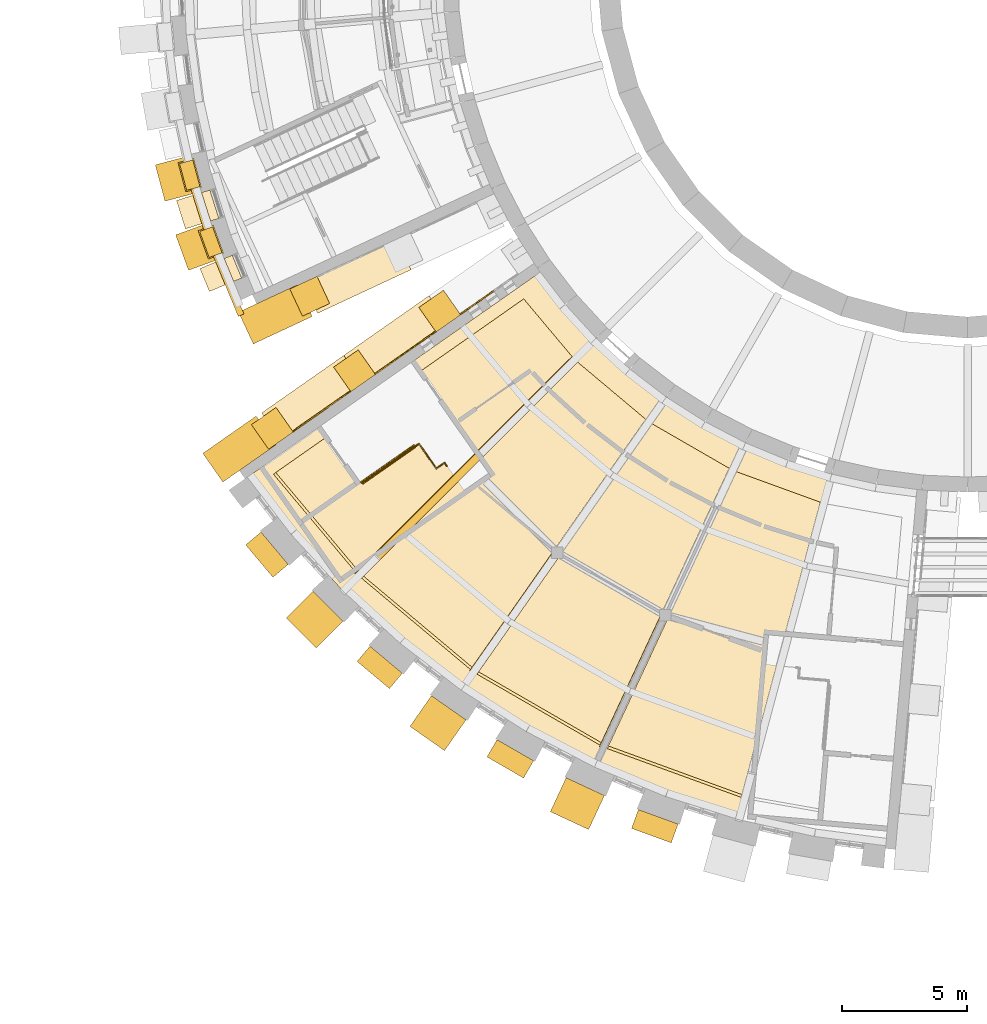
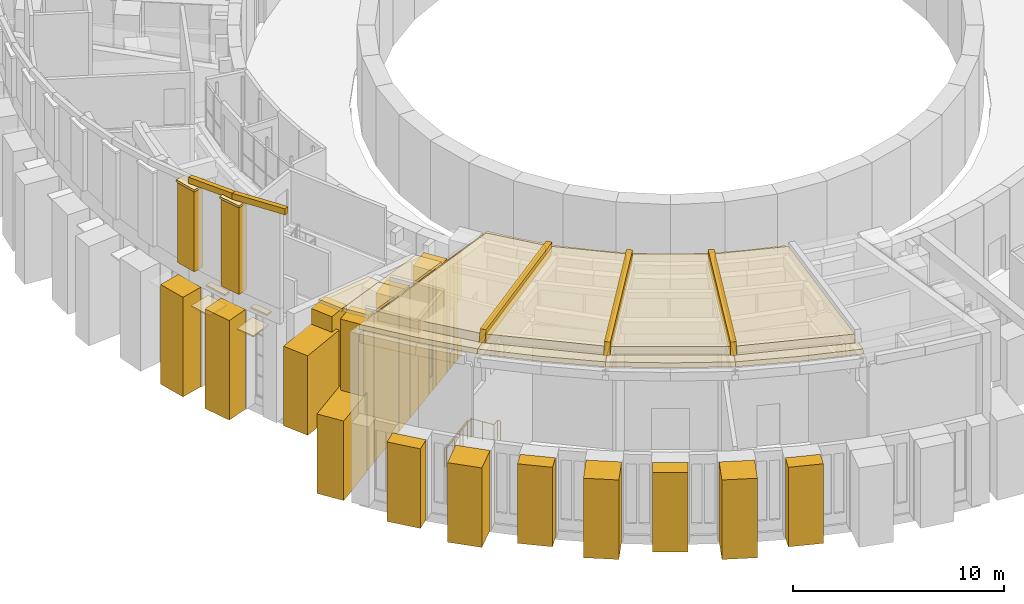
# One storey, part 51 of 66: 50 coverings, 2 railings.
"""IFC4 building model written with IfcOpenShell, lengths in metres."""

from ifc_helpers import new_model, si_unit, direction, frame, origin, origin_2d, place, context, subcontext, project, spatial, polyline, rectangle, circle, outline, extrude, material, layer, layer_set, type_object, element, save


model = new_model("IFC4")

# Units and contexts
model_context = context("Model", 3, precision=1e-05, world=origin(), true_north=direction((0.0, 1.0)))
body_context = subcontext(model_context, "Body", "Model", "MODEL_VIEW")
ifc_project = project(units=[si_unit("LENGTHUNIT", "METRE"), si_unit("AREAUNIT", "SQUARE_METRE"), si_unit("VOLUMEUNIT", "CUBIC_METRE"), si_unit("PLANEANGLEUNIT", "RADIAN"), si_unit("MASSUNIT", "GRAM", prefix="KILO")], contexts=[model_context])

# Site, building, storey
site_placement = place(None, origin())
site = spatial("IfcSite", under=ifc_project, at=site_placement, CompositionType="ELEMENT")
building_placement = place(site_placement, origin())
building = spatial("IfcBuilding", under=site, at=building_placement, Name="Volute Hill Aquarium", CompositionType="ELEMENT")
storey_placement = place(building_placement, frame((0.0, 0.0, 4.60009765625)))
storey = spatial("IfcBuildingStorey", under=building, at=storey_placement, Name="L02", CompositionType="ELEMENT", Elevation=4.60009765625)

# Coverings
ifc_material_1 = material(Name="Precast concrete C40/50", Category="concrete")
covering_type_1 = type_object("IfcCoveringType", Name="Crown coping beam precast concrete C40/50 250x350", PredefinedType="CLADDING", material=ifc_material_1)
covering_1_placement = place(storey_placement, frame((-31.21240234375, -8.368896484375, 11.449951171875), z_axis=(-0.953712655067, -0.300719423325, 0.0), x_axis=(0.297769818201, -0.944358168739, 0.139716801081)))
element("IfcCovering", 1, at=covering_1_placement, inside=storey, type_object=covering_type_1, Name="Crown coping beam PCB S1 b08", PredefinedType="CLADDING", context=body_context, shape_type="SweptSolid", body=[
    extrude(outline(polyline([(0.0, 0.0), (2.836024238373894, -5.551115123125783e-17), (2.88493876297125, 0.34666372494848335), (0.048914524597356186, 0.34666372494848346), (0.0, 0.0)])), origin(), (0.0, 0.0, -1.0), 0.25),
])
covering_2_placement = place(storey_placement, frame((-30.3642578125, -11.057373046875, 11.84619140625), z_axis=(-0.923898129368, -0.382638532494, 0.0), x_axis=(0.378882786298, -0.914829709461, 0.139765650056)))
element("IfcCovering", 2, at=covering_2_placement, inside=storey, type_object=covering_type_1, Name="Crown coping beam PCB S1 beb", PredefinedType="CLADDING", context=body_context, shape_type="SweptSolid", body=[
    extrude(outline(polyline([(0.0, 0.0), (3.1896305069942947, 5.551115123125783e-17), (3.2385280110301635, 0.34641956713533706), (0.04893162650902721, 0.34666131142503376), (0.0, 0.0)])), origin(), (0.0, 0.0, -1.0), 0.25),
])
ifc_material_2 = material(Name="Precast concrete C40/50", Category="concrete")
covering_type_2 = type_object("IfcCoveringType", Name="End wall precast coping C40/50 1350x200", PredefinedType="CLADDING", material=ifc_material_2)
covering_3_placement = place(storey_placement, frame((-22.821044921875, -10.8896484375, 4.443359375), z_axis=(-0.42265160425, 0.906292238423, 0.0), x_axis=(-0.877753563614, -0.409342523382, 0.248972649328)))
element("IfcCovering", 3, at=covering_3_placement, inside=storey, type_object=covering_type_2, Name="End wall coping EWC S1B L02 2", PredefinedType="CLADDING", context=body_context, shape_type="SweptSolid", body=[
    extrude(outline(polyline([(0.0, 0.0), (4.2489057773158745, 2.220446049250313e-16), (4.298688150313907, 0.193654812676759), (0.04978237299803335, 0.19365481267675866), (0.0, 0.0)])), origin(), (0.0, 0.0, -1.0), 1.35009765625),
])
covering_4_placement = place(storey_placement, frame((-21.529541015625, -13.15234375, 6.6162109375), z_axis=(-0.573596250898, 0.819138169637, 0.0), x_axis=(-0.793337145295, -0.555529249041, 0.249004874161)))
element("IfcCovering", 4, at=covering_4_placement, inside=storey, type_object=covering_type_2, Name="End wall coping EWC S2A L02 2", PredefinedType="CLADDING", context=body_context, shape_type="SweptSolid", body=[
    extrude(outline(polyline([(0.0, 0.0), (4.2954182392203455, 0.0), (4.3452070556113815, 0.19365315617506873), (0.0498496085966414, 0.19388960691520912), (0.0, 0.0)])), origin(), (0.0, 0.0, -1.0), 1.35009765625),
])
covering_5_placement = place(storey_placement, frame((-24.937255859375, -15.53857421875, 7.685791015625), z_axis=(-0.573564490051, 0.819160409048, 0.0), x_axis=(-0.793370432089, -0.555506714286, 0.248949086903)))
element("IfcCovering", 5, at=covering_5_placement, inside=storey, type_object=covering_type_2, Name="End wall coping EWC S2A L02 3", PredefinedType="CLADDING", context=body_context, shape_type="SweptSolid", body=[
    extrude(outline(polyline([(0.0, 0.0), (4.140451895496209, 0.0), (4.190290335745365, 0.1938924779884561), (0.049777661663486496, 0.1936560237470068), (0.0, 0.0)])), origin(), (0.0, 0.0, -1.0), 1.35009765625),
])
ifc_material_3 = material(Name="Precast concrete C40/50", Category="concrete")
covering_type_3 = type_object("IfcCoveringType", Name="End wall precast fin C40/50 1200x1200", PredefinedType="CLADDING", material=ifc_material_3)
covering_6_placement = place(storey_placement, frame((-26.296875, -13.172607421875, 0.0), z_axis=(0.0, 0.0, 1.0), x_axis=(-0.906307811488, -0.422618209304, 0.0)))
element("IfcCovering", 6, at=covering_6_placement, inside=storey, type_object=covering_type_3, Name="End wall fin EWF S1B L02 3", PredefinedType="CLADDING", context=body_context, shape_type="SweptSolid", body=[
    extrude(rectangle(XDim=1.199951171875, YDim=1.199951171875, at=origin_2d()), origin(), (0.0, 0.0, 1.0), 5.501220703125),
])
covering_7_placement = place(storey_placement, frame((-21.099365234375, -13.766845703125, 0.0), z_axis=(0.0, 0.0, 1.0), x_axis=(-0.81915382895, -0.573573887583, 0.0)))
element("IfcCovering", 7, at=covering_7_placement, inside=storey, type_object=covering_type_3, Name="End wall fin EWF S2A L02 2", PredefinedType="CLADDING", context=body_context, shape_type="SweptSolid", body=[
    extrude(rectangle(XDim=1.199951171875, YDim=1.199951171875, at=origin_2d()), origin(), (0.0, 0.0, 1.0), 6.616455078125),
])
covering_8_placement = place(storey_placement, frame((-24.507080078125, -16.15283203125, 0.0), z_axis=(0.0, 0.0, 1.0), x_axis=(-0.81915382895, -0.573573887583, 0.0)))
element("IfcCovering", 8, at=covering_8_placement, inside=storey, type_object=covering_type_3, Name="End wall fin EWF S2A L02 3", PredefinedType="CLADDING", context=body_context, shape_type="SweptSolid", body=[
    extrude(rectangle(XDim=1.199951171875, YDim=1.199951171875, at=origin_2d()), origin(), (0.0, 0.0, 1.0), 7.685791015625),
])
covering_9_placement = place(storey_placement, frame((-27.7919921875, -18.452880859375, -0.000244140625), z_axis=(0.0, 0.0, 1.0), x_axis=(-0.81915382895, -0.573573887583, 0.0)))
element("IfcCovering", 9, at=covering_9_placement, inside=storey, type_object=covering_type_3, Name="End wall fin EWF S2A L02 4", PredefinedType="CLADDING", context=body_context, shape_type="SweptSolid", body=[
    extrude(rectangle(XDim=1.199951171875, YDim=1.199951171875, at=origin_2d()), origin(), (0.0, 0.0, 1.0), 8.716796875),
])
ifc_material_4 = material(Name="Precast concrete C40/50", Category="concrete")
ifc_layer_1 = layer(ifc_material_4, 0.050048828125)
ifc_layer_set_1 = layer_set([ifc_layer_1], Name="End wall precast infill panel C40/50 50")
covering_type_4 = type_object("IfcCoveringType", Name="End wall precast infill panel C40/50 50", PredefinedType="CLADDING", material=ifc_layer_set_1)
covering_10_placement = place(storey_placement, frame((-18.957275390625, -12.938232421875, 0.0), z_axis=(-0.573462344363, 0.819231920519, 0.0), x_axis=(-0.819231920519, -0.573462344363, 0.0)))
element("IfcCovering", 10, at=covering_10_placement, inside=storey, type_object=covering_type_4, Name="End wall panel EWP S2A L02 1", PredefinedType="CLADDING", context=body_context, shape_type="SweptSolid", body=[
    extrude(outline(polyline([(0.0, 0.0), (0.4499975336854954, 0.0), (0.4499975336854954, 0.89990234375), (0.0, 0.89990234375), (0.0, 0.0)])), origin(), (0.0, 0.0, -1.0), 0.050048828125),
])
covering_11_placement = place(storey_placement, frame((-18.957275390625, -12.938232421875, 3.2998046875), z_axis=(-0.573462344363, 0.819231920519, 0.0), x_axis=(-0.819231920519, -0.573462344363, 0.0)))
element("IfcCovering", 11, at=covering_11_placement, inside=storey, type_object=covering_type_4, Name="End wall panel EWP S2A L02 1", PredefinedType="CLADDING", context=body_context, shape_type="SweptSolid", body=[
    extrude(outline(polyline([(0.0, 0.0), (0.4499975336854954, 0.0), (0.4499975336854954, 2.85888671875), (0.0, 2.7431640625), (0.0, 0.0)])), origin(), (0.0, 0.0, -1.0), 0.050048828125),
])
covering_12_placement = place(storey_placement, frame((-19.325927734375, -13.1962890625, 0.0), z_axis=(-0.573754027564, 0.819027664889, 0.0), x_axis=(-0.819027664889, -0.573754027564, 0.0)))
element("IfcCovering", 12, at=covering_12_placement, inside=storey, type_object=covering_type_4, Name="End wall panel EWP S2A L02 1", PredefinedType="CLADDING", context=body_context, shape_type="SweptSolid", body=[
    extrude(outline(polyline([(0.0, 0.0), (0.39317534459428183, 0.0), (0.39317534459428183, 6.259765625), (0.0, 6.15869140625), (0.0, 0.0)])), origin(), (0.0, 0.0, -1.0), 0.050048828125),
])
covering_13_placement = place(storey_placement, frame((-19.64794921875, -13.421875, 0.0), z_axis=(-0.573717313389, 0.819053383069, 0.0), x_axis=(-0.819053383069, -0.573717313389, 0.0)))
element("IfcCovering", 13, at=covering_13_placement, inside=storey, type_object=covering_type_4, Name="End wall panel EWP S2A L02 1", PredefinedType="CLADDING", context=body_context, shape_type="SweptSolid", body=[
    extrude(outline(polyline([(0.0, 0.0), (0.44979754768167834, 0.0), (0.44979754768167834, 0.8999023437499999), (0.0, 0.8999023437499999), (0.0, 0.0)])), origin(), (0.0, 0.0, -1.0), 0.050048828125),
])
covering_14_placement = place(storey_placement, frame((-19.64794921875, -13.421875, 3.2998046875), z_axis=(-0.573717313389, 0.819053383069, 0.0), x_axis=(-0.819053383069, -0.573717313389, 0.0)))
element("IfcCovering", 14, at=covering_14_placement, inside=storey, type_object=covering_type_4, Name="End wall panel EWP S2A L02 1", PredefinedType="CLADDING", context=body_context, shape_type="SweptSolid", body=[
    extrude(outline(polyline([(0.0, 0.0), (0.44979754768167834, 0.0), (0.44979754768167834, 3.0756835937499996), (0.0, 2.9599609374999996), (0.0, 0.0)])), origin(), (0.0, 0.0, -1.0), 0.050048828125),
])
covering_15_placement = place(storey_placement, frame((-20.016357421875, -13.679931640625, 0.0), z_axis=(-0.573608157975, 0.819129831653, 0.0), x_axis=(-0.819129831653, -0.573608157975, 0.0)))
element("IfcCovering", 15, at=covering_15_placement, inside=storey, type_object=covering_type_4, Name="End wall panel EWP S2A L02 1", PredefinedType="CLADDING", context=body_context, shape_type="SweptSolid", body=[
    extrude(outline(polyline([(0.0, 0.0), (0.3370931398232899, 0.0), (0.3370931398232899, 6.462158203125), (0.0, 6.37548828125), (0.0, 0.0)])), origin(), (0.0, 0.0, -1.0), 0.050048828125),
])
covering_16_placement = place(storey_placement, frame((-21.275634765625, -14.5615234375, 0.0), z_axis=(-0.573596314874, 0.819138124838, 0.0), x_axis=(-0.819138124838, -0.573596314874, 0.0)))
element("IfcCovering", 16, at=covering_16_placement, inside=storey, type_object=covering_type_4, Name="End wall panel EWP S2A L02 2", PredefinedType="CLADDING", context=body_context, shape_type="SweptSolid", body=[
    extrude(outline(polyline([(0.0, 0.0), (0.3668943005607556, 0.0), (0.3668943005607556, 6.864990234375), (0.0, 6.7705078125), (0.0, 0.0)])), origin(), (0.0, 0.0, -1.0), 0.050048828125),
])
covering_17_placement = place(storey_placement, frame((-21.576171875, -14.77197265625, 0.0), z_axis=(-0.573462344363, 0.819231920519, 0.0), x_axis=(-0.819231920519, -0.573462344363, 0.0)))
element("IfcCovering", 17, at=covering_17_placement, inside=storey, type_object=covering_type_4, Name="End wall panel EWP S2A L02 2", PredefinedType="CLADDING", context=body_context, shape_type="SweptSolid", body=[
    extrude(outline(polyline([(0.0, 0.0), (0.4499975336854954, 0.0), (0.4499975336854954, 0.89990234375), (0.0, 0.89990234375), (0.0, 0.0)])), origin(), (0.0, 0.0, -1.0), 0.050048828125),
])
covering_18_placement = place(storey_placement, frame((-21.576171875, -14.77197265625, 3.2998046875), z_axis=(-0.573462344363, 0.819231920519, 0.0), x_axis=(-0.819231920519, -0.573462344363, 0.0)))
element("IfcCovering", 18, at=covering_18_placement, inside=storey, type_object=covering_type_4, Name="End wall panel EWP S2A L02 2", PredefinedType="CLADDING", context=body_context, shape_type="SweptSolid", body=[
    extrude(outline(polyline([(0.0, 0.0), (0.4499975336854954, 0.0), (0.4499975336854954, 3.680908203125), (0.0, 3.565185546875), (0.0, 0.0)])), origin(), (0.0, 0.0, -1.0), 0.050048828125),
])
covering_19_placement = place(storey_placement, frame((-21.94482421875, -15.030029296875, 0.0), z_axis=(-0.573615254604, 0.819124862085, 0.0), x_axis=(-0.819124862085, -0.573615254604, 0.0)))
element("IfcCovering", 19, at=covering_19_placement, inside=storey, type_object=covering_type_4, Name="End wall panel EWP S2A L02 2", PredefinedType="CLADDING", context=body_context, shape_type="SweptSolid", body=[
    extrude(outline(polyline([(0.0, 0.0), (2.1429835364554424, 0.0), (2.1429835364554424, 7.531494140625), (0.0, 6.980712890625), (0.0, 0.0)])), origin(), (0.0, 0.0, -1.0), 0.050048828125),
])
covering_20_placement = place(storey_placement, frame((-24.68310546875, -16.947509765625, 0.0), z_axis=(-0.57356146149, 0.819162529596, 0.0), x_axis=(-0.819162529596, -0.57356146149, 0.0)))
element("IfcCovering", 20, at=covering_20_placement, inside=storey, type_object=covering_type_4, Name="End wall panel EWP S2A L02 3", PredefinedType="CLADDING", context=body_context, shape_type="SweptSolid", body=[
    extrude(outline(polyline([(0.0, 0.0), (2.8101895166781867, 0.0), (2.8101895166781867, 8.5625), (0.0, 7.840087890625), (0.0, 0.0)])), origin(), (0.0, 0.0, -1.0), 0.050048828125),
])
ifc_material_5 = material(Name="Planted growing medium")
ifc_layer_2 = layer(ifc_material_5, 0.25)
ifc_layer_set_2 = layer_set([ifc_layer_2], Name="Green roof build-up 250")
covering_type_5 = type_object("IfcCoveringType", Name="Green roof build-up 250", PredefinedType="ROOFING", material=ifc_layer_set_2)
covering_21_placement = place(storey_placement, frame((-14.84912109375, -14.84912109375, 6.05810546875), z_axis=(0.191408866679, 0.160625412533, 0.968277915996), x_axis=(-0.675596419044, 0.737185630628, 0.01126164161)))
element("IfcCovering", 21, at=covering_21_placement, inside=storey, type_object=covering_type_5, Name="Planted roof RF S2 1", PredefinedType="ROOFING", context=body_context, shape_type="SweptSolid", body=[
    extrude(outline(polyline([(0.0, 0.0), (1.832111994892041, -3.2959746043559335e-17), (3.4574666348299146, -0.14699611515481012), (5.36622325780782, 14.49376222532677), (2.4982687417378817, 14.753049939047802), (-0.5813629337927764, 14.753466107006489), (0.0, 0.0)])), origin(), (0.0, 0.0, -1.0), 0.25),
])
covering_22_placement = place(storey_placement, frame((-24.960693359375, -24.960693359375, 9.734375), z_axis=(0.160618471044, 0.191414434896, 0.96827796674), x_axis=(0.737275742268, -0.675498498003, 0.011236505612)))
element("IfcCovering", 22, at=covering_22_placement, inside=storey, type_object=covering_type_5, Name="Planted roof RF S2 2", PredefinedType="ROOFING", context=body_context, shape_type="SweptSolid", body=[
    extrude(outline(polyline([(0.0, 0.0), (3.079631702116787, -2.671474153004283e-16), (6.146889263579759, 0.27683493797750636), (4.240111144507477, 14.917851085661077), (2.4154686234798133, 14.753139825825924), (0.5833566465327811, 14.753387409448237), (0.0, 0.0)])), origin(), (0.0, 0.0, -1.0), 0.25),
])
covering_23_placement = place(storey_placement, frame((-20.2470703125, -28.915771484375, 9.734375), z_axis=(0.124939995362, 0.216410206487, 0.968275074598), x_axis=(0.843343568195, -0.537256820272, 0.011257666545)))
element("IfcCovering", 23, at=covering_23_placement, inside=storey, type_object=covering_type_5, Name="Planted roof RF S2 3", PredefinedType="ROOFING", context=body_context, shape_type="SweptSolid", body=[
    extrude(outline(polyline([(0.0, 0.0), (3.079608627462591, -1.3010426069826053e-16), (6.146883118952967, 0.2772811667122128), (4.2393053870727435, 14.91800472668905), (2.4146120208236628, 14.75318222815351), (0.5824131471835171, 14.753167509688229), (0.0, 0.0)])), origin(), (0.0, 0.0, -1.0), 0.25),
])
covering_24_placement = place(storey_placement, frame((-14.918212890625, -31.9921875, 9.734375), z_axis=(0.085467213485, 0.234817247417, 0.968274865797), x_axis=(0.923816367596, -0.382670300971, 0.01125876176)))
element("IfcCovering", 24, at=covering_24_placement, inside=storey, type_object=covering_type_5, Name="Planted roof RF S2 4", PredefinedType="ROOFING", context=body_context, shape_type="SweptSolid", body=[
    extrude(outline(polyline([(0.0, 0.0), (3.079585063123519, 1.8735013540549517e-16), (6.146816657262553, 0.27722387364430134), (4.238863923950996, 14.917918940926834), (2.414261614424385, 14.753205142146598), (0.5821300112458868, 14.752991690248153), (0.0, 0.0)])), origin(), (0.0, 0.0, -1.0), 0.25),
])

# Railings
ifc_material_6 = material(Name="Stainless steel 1.4301", Category="steel")
railing_type = type_object("IfcRailingType", Name="Guard 1100 stainless", PredefinedType="GUARDRAIL", material=ifc_material_6)
railing_1_placement = place(storey_placement, frame((-24.263671875, -20.615234375, 0.0)))
element("IfcRailing", 25, at=railing_1_placement, inside=storey, type_object=railing_type, Name="gd/S2-A/L02/edge", PredefinedType="GUARDRAIL", context=body_context, shape_type="SweptSolid", body=[
    extrude(circle(Radius=0.02392578125, at=origin_2d()), frame((0.0, 0.0, 1.076171875), z_axis=(0.819178980414, 0.573537965655, 0.0), x_axis=(-0.573537965655, 0.819178980414, 0.0)), (0.0, 0.0, 1.0), 2.60009765625),
    extrude(circle(Radius=0.02099609375, at=origin_2d()), origin(), (0.0, 0.0, 1.0), 1.052001953125),
    extrude(circle(Radius=0.02099609375, at=origin_2d()), frame((0.7099609375, 0.4970703125, 0.0)), (0.0, 0.0, 1.0), 1.052001953125),
    extrude(circle(Radius=0.02099609375, at=origin_2d()), frame((1.419921875, 0.994140625, 0.0)), (0.0, 0.0, 1.0), 1.052001953125),
    extrude(circle(Radius=0.02099609375, at=origin_2d()), frame((2.1298828125, 1.4912109375, 0.0)), (0.0, 0.0, 1.0), 1.052001953125),
])
railing_2_placement = place(storey_placement, frame((-20.822021484375, -19.951171875, 0.0)))
element("IfcRailing", 26, at=railing_2_placement, inside=storey, type_object=railing_type, Name="gd/S2-A/L02/well", PredefinedType="GUARDRAIL", context=body_context, shape_type="SweptSolid", body=[
    extrude(circle(Radius=0.02392578125, at=origin_2d()), frame((0.0, 0.0, 1.076171875), z_axis=(-0.574444878118, 0.818543268254, 0.0), x_axis=(-0.818543268254, -0.574444878118, 0.0)), (0.0, 0.0, 1.0), 0.150146484375),
    extrude(circle(Radius=0.02392578125, at=origin_2d()), frame((-0.086181640625, 0.122802734375, 1.076171875), z_axis=(-0.819059844958, -0.573708088123, 0.0), x_axis=(0.573708088123, -0.819059844958, 0.0)), (0.0, 0.0, 1.0), 0.39990234375),
    extrude(circle(Radius=0.02392578125, at=origin_2d()), frame((-0.413818359375, -0.106689453125, 1.076171875), z_axis=(-0.573475997466, 0.819222363177, 0.0), x_axis=(-0.819222363177, -0.573475997466, 0.0)), (0.0, 0.0, 1.0), 1.2001953125),
    extrude(circle(Radius=0.02392578125, at=origin_2d()), frame((-1.10205078125, 0.87646484375, 1.076171875), z_axis=(-0.819144325714, -0.57358745946, 0.0), x_axis=(0.57358745946, -0.819144325714, 0.0)), (0.0, 0.0, 1.0), 2.75),
    extrude(circle(Radius=0.02099609375, at=origin_2d()), origin(), (0.0, 0.0, 1.0), 1.052001953125),
    extrude(circle(Radius=0.02099609375, at=origin_2d()), frame((-0.086181640625, 0.122802734375, 0.0)), (0.0, 0.0, 1.0), 1.052001953125),
    extrude(circle(Radius=0.02099609375, at=origin_2d()), frame((-0.413818359375, -0.106689453125, 0.0)), (0.0, 0.0, 1.0), 1.052001953125),
    extrude(circle(Radius=0.02099609375, at=origin_2d()), frame((-0.7578125, 0.384765625, 0.0)), (0.0, 0.0, 1.0), 1.052001953125),
    extrude(circle(Radius=0.02099609375, at=origin_2d()), frame((-1.10205078125, 0.87646484375, 0.0)), (0.0, 0.0, 1.0), 1.052001953125),
    extrude(circle(Radius=0.02099609375, at=origin_2d()), frame((-1.85302734375, 0.3505859375, 0.0)), (0.0, 0.0, 1.0), 1.052001953125),
    extrude(circle(Radius=0.02099609375, at=origin_2d()), frame((-2.603759765625, -0.175048828125, 0.0)), (0.0, 0.0, 1.0), 1.052001953125),
    extrude(circle(Radius=0.02099609375, at=origin_2d()), frame((-3.354736328125, -0.700927734375, 0.0)), (0.0, 0.0, 1.0), 1.052001953125),
])

# Coverings
ifc_material_7 = material(Name="Aluminium, anodised", Category="aluminium")
ifc_layer_3 = layer(ifc_material_7, 0.080078125)
ifc_layer_set_3 = layer_set([ifc_layer_3], Name="Horizontal brise-soleil eyebrow 1200x80")
covering_type_6 = type_object("IfcCoveringType", Name="Horizontal brise-soleil eyebrow 1200x80", PredefinedType="CLADDING", material=ifc_layer_set_3)
covering_25_placement = place(storey_placement, frame((-30.87158203125, -9.73388671875, 5.019775390625), z_axis=(0.0, 0.0, 1.0), x_axis=(0.300700050093, -0.953718763512, 0.0)))
element("IfcCovering", 27, at=covering_25_placement, inside=storey, type_object=covering_type_6, Name="Brise-soleil eyebrow BS S1 L02 9.1", PredefinedType="CLADDING", context=body_context, shape_type="SweptSolid", body=[
    extrude(rectangle(XDim=1.19287109375, YDim=1.199951171875, at=origin_2d()), origin(), (0.0, 0.0, 1.0), 0.080078125),
])
covering_26_placement = place(storey_placement, frame((-29.944091796875, -12.294921875, 5.019775390625), z_axis=(0.0, 0.0, 1.0), x_axis=(0.382661654863, -0.923888552747, 0.0)))
element("IfcCovering", 28, at=covering_26_placement, inside=storey, type_object=covering_type_6, Name="Brise-soleil eyebrow BS S1 L02 10.1", PredefinedType="CLADDING", context=body_context, shape_type="SweptSolid", body=[
    extrude(rectangle(XDim=0.99267578125, YDim=1.199951171875, at=origin_2d()), origin(), (0.0, 0.0, 1.0), 0.080078125),
])
ifc_material_8 = material(Name="Precast concrete C40/50", Category="concrete")
ifc_layer_4 = layer(ifc_material_8, 0.10009765625)
ifc_layer_set_4 = layer_set([ifc_layer_4], Name="Niche cap precast concrete C40/50 100")
covering_type_7 = type_object("IfcCoveringType", Name="Niche cap precast concrete C40/50 100", PredefinedType="CLADDING", material=ifc_layer_set_4)
covering_27_placement = place(storey_placement, frame((-30.275390625, -9.5458984375, 5.659912109375), z_axis=(0.0, 0.0, 1.0), x_axis=(0.300700050093, -0.953718763512, 0.0)))
element("IfcCovering", 29, at=covering_27_placement, inside=storey, type_object=covering_type_7, Name="Niche cap NC S1 L02 9", PredefinedType="CLADDING", context=body_context, shape_type="SweptSolid", body=[
    extrude(rectangle(XDim=1.19287109375, YDim=0.35009765625, at=origin_2d()), origin(), (0.0, 0.0, 1.0), 0.10009765625),
])
covering_28_placement = place(storey_placement, frame((-29.36669921875, -12.0556640625, 5.659912109375), z_axis=(0.0, 0.0, 1.0), x_axis=(0.382661654863, -0.923888552747, 0.0)))
element("IfcCovering", 30, at=covering_28_placement, inside=storey, type_object=covering_type_7, Name="Niche cap NC S1 L02 10", PredefinedType="CLADDING", context=body_context, shape_type="SweptSolid", body=[
    extrude(rectangle(XDim=0.99267578125, YDim=0.35009765625, at=origin_2d()), origin(), (0.0, 0.0, 1.0), 0.10009765625),
])
ifc_material_9 = material(Name="Precast concrete C40/50", Category="concrete")
ifc_layer_5 = layer(ifc_material_9, 0.1201171875)
ifc_layer_set_5 = layer_set([ifc_layer_5], Name="Pier crown coping precast concrete C40/50 1207x650")
covering_type_8 = type_object("IfcCoveringType", Name="Pier crown coping precast concrete C40/50 1207x650", PredefinedType="CLADDING", material=ifc_layer_set_5)
for number, where, z_axis, x_axis, name in (
    (31, (-31.09326171875, -8.331298828125, 11.329833984375), (0.0, 0.0, 1.0), (0.258819045103, -0.965925826289, 0.0), "Pier crown coping PCC S1 8"),
    (32, (-30.248779296875, -11.009521484375, 11.72607421875), (0.0, 0.0, 1.0), (0.342020143326, -0.939692620786, 0.0), "Pier crown coping PCC S1 9"),
):
    element("IfcCovering", number, at=place(storey_placement, frame(where, z_axis=z_axis, x_axis=x_axis)), inside=storey, type_object=covering_type_8, Name=name, PredefinedType="CLADDING", context=body_context, shape_type="SweptSolid", body=[
        extrude(rectangle(XDim=1.20703125, YDim=0.64990234375, at=origin_2d()), origin(), (0.0, 0.0, 1.0), 0.1201171875),
    ])
ifc_material_10 = material(Name="Precast concrete C40/50", Category="concrete")
covering_type_9 = type_object("IfcCoveringType", Name="Pier crown fin precast concrete C40/50 1107x550", PredefinedType="CLADDING", material=ifc_material_10)
covering_29_placement = place(storey_placement, frame((-31.09326171875, -8.331298828125, 6.65966796875), z_axis=(0.0, 0.0, 1.0), x_axis=(0.258819045103, -0.965925826289, 0.0)))
element("IfcCovering", 33, at=covering_29_placement, inside=storey, type_object=covering_type_9, Name="Pier crown fin PC S1 8", PredefinedType="CLADDING", context=body_context, shape_type="SweptSolid", body=[
    extrude(rectangle(XDim=1.10693359375, YDim=0.550048828125, at=origin_2d()), origin(), (0.0, 0.0, 1.0), 4.670166015625),
])
covering_30_placement = place(storey_placement, frame((-30.248779296875, -11.009521484375, 6.659912109375), z_axis=(0.0, 0.0, 1.0), x_axis=(0.342020143326, -0.939692620786, 0.0)))
element("IfcCovering", 34, at=covering_30_placement, inside=storey, type_object=covering_type_9, Name="Pier crown fin PC S1 9", PredefinedType="CLADDING", context=body_context, shape_type="SweptSolid", body=[
    extrude(rectangle(XDim=1.10693359375, YDim=0.550048828125, at=origin_2d()), origin(), (0.0, 0.0, 1.0), 5.06640625),
])
ifc_material_11 = material(Name="Planted growing medium")
ifc_layer_6 = layer(ifc_material_11, 0.449951171875)
ifc_layer_set_6 = layer_set([ifc_layer_6], Name="Planted roof bed 450")
covering_type_10 = type_object("IfcCoveringType", Name="Planted roof bed 450", PredefinedType="CLADDING", material=ifc_layer_set_6)
covering_31_placement = place(storey_placement, frame((-24.359619140625, -24.1474609375, 9.9453125), z_axis=(0.191419093043, 0.160619205332, 0.968276924075), x_axis=(0.684837609106, 0.684837617435, -0.248987724396)))
element("IfcCovering", 35, at=covering_31_placement, inside=storey, type_object=covering_type_10, Name="Planted roof bed RB S2 1", PredefinedType="CLADDING", context=body_context, shape_type="SweptSolid", body=[
    extrude(outline(polyline([(0.0, 0.0), (12.492981258650648, 1.4016565685892601e-15), (12.747789021144213, 3.007988800892211), (0.43287224218640485, 5.109609647941556), (0.0, 0.0)])), origin(), (0.0, 0.0, -1.0), 0.449951171875),
])
covering_32_placement = place(storey_placement, frame((-15.591796875, -15.803955078125, 6.834716796875), z_axis=(0.160612530717, 0.1914227029, 0.968277317606), x_axis=(-0.684837970279, -0.684838029632, 0.248985597241)))
element("IfcCovering", 36, at=covering_32_placement, inside=storey, type_object=covering_type_10, Name="Planted roof bed RB S2 2", PredefinedType="CLADDING", context=body_context, shape_type="SweptSolid", body=[
    extrude(outline(polyline([(0.0, 0.0), (12.492981258627923, -7.216449660063518e-16), (12.013461138706928, 5.6595780849091435), (-0.30162283701327697, 3.5581307668281053), (0.0, 0.0)])), origin(), (0.0, 0.0, -1.0), 0.449951171875),
])
covering_33_placement = place(storey_placement, frame((-12.610595703125, -18.271240234375, 6.834716796875), z_axis=(0.124940195504, 0.216399900532, 0.968277352104), x_axis=(-0.555508496284, -0.793357497219, 0.248986329269)))
element("IfcCovering", 37, at=covering_33_placement, inside=storey, type_object=covering_type_10, Name="Planted roof bed RB S2 3", PredefinedType="CLADDING", context=body_context, shape_type="SweptSolid", body=[
    extrude(outline(polyline([(0.0, 0.0), (12.49295743437037, -6.938893903907228e-16), (12.01364654130645, 5.659715830428262), (-0.3014655139824629, 3.558161119219153), (0.0, 0.0)])), origin(), (0.0, 0.0, -1.0), 0.449951171875),
])
covering_34_placement = place(storey_placement, frame((-9.24609375, -20.183349609375, 6.834716796875), z_axis=(0.085465962472, 0.23480718054, 0.968277417492), x_axis=(-0.409306537414, -0.877766517718, 0.24898614179)))
element("IfcCovering", 38, at=covering_34_placement, inside=storey, type_object=covering_type_10, Name="Planted roof bed RB S2 4", PredefinedType="CLADDING", context=body_context, shape_type="SweptSolid", body=[
    extrude(outline(polyline([(0.0, 0.0), (12.493138802495036, 4.163336342344337e-16), (12.013678026260543, 5.659662589022199), (-0.30128006886497305, 3.558132325666126), (0.0, 0.0)])), origin(), (0.0, 0.0, -1.0), 0.449951171875),
])
ifc_material_12 = material(Name="Precast concrete C30/37", Category="concrete")
covering_type_11 = type_object("IfcCoveringType", Name="Planted roof kerb precast concrete C30/37 300x700", PredefinedType="CLADDING", material=ifc_material_12)
covering_35_placement = place(storey_placement, frame((-24.1474609375, -24.359619140625, 10.19677734375), z_axis=(0.191617178391, 0.160418572948, 0.968271004626), x_axis=(0.684837660873, 0.684837660873, -0.248987462538)))
element("IfcCovering", 39, at=covering_35_placement, inside=storey, type_object=covering_type_11, Name="Planted roof kerb RK S2 1.2", PredefinedType="CLADDING", context=body_context, shape_type="SweptSolid", body=[
    extrude(outline(polyline([(0.0, 0.0), (12.492981258651104, -1.0130785099704553e-15), (12.491279195918912, 0.3001100453673903), (-0.0017020627321926328, 0.3001100453673904), (0.0, 0.0)])), origin(), (0.0, 0.0, -1.0), 0.699951171875),
])
covering_36_placement = place(storey_placement, frame((-12.856201171875, -18.09912109375, 7.093017578125), z_axis=(0.160883306595, 0.191230465657, 0.968270349987), x_axis=(-0.555521547383, -0.793348224606, 0.248986756488)))
element("IfcCovering", 40, at=covering_36_placement, inside=storey, type_object=covering_type_11, Name="Planted roof kerb RK S2 2.2", PredefinedType="CLADDING", context=body_context, shape_type="SweptSolid", body=[
    extrude(outline(polyline([(0.0, 0.0), (12.49309305816234, 2.636779683484747e-16), (12.491366659468666, 0.30018457355881956), (-0.0015907733158958147, 0.29998540622080905), (0.0, 0.0)])), origin(), (0.0, 0.0, -1.0), 0.699951171875),
])
covering_37_placement = place(storey_placement, frame((-9.51806640625, -20.056640625, 7.0927734375), z_axis=(0.124763795552, 0.216491675779, 0.968279582372), x_axis=(-0.409305886781, -0.877764736074, 0.248993492188)))
element("IfcCovering", 41, at=covering_37_placement, inside=storey, type_object=covering_type_11, Name="Planted roof kerb RK S2 3.2", PredefinedType="CLADDING", context=body_context, shape_type="SweptSolid", body=[
    extrude(outline(polyline([(0.0, 0.0), (12.493199591383707, 1.304512053934559e-15), (12.491398156414801, 0.30011291770226994), (-0.0017406455421002803, 0.30010781468890524), (0.0, 0.0)])), origin(), (0.0, 0.0, -1.0), 0.699951171875),
])
ifc_material_13 = material(Name="Precast concrete C40/50", Category="concrete")
covering_type_12 = type_object("IfcCoveringType", Name="Projecting pier precast concrete C40/50 1502x1200", PredefinedType="CLADDING", material=ifc_material_13)
for number, where, z_axis, x_axis, name in (
    (42, (-31.697021484375, -8.4931640625, 0.0), (0.0, 0.0, 1.0), (0.258819045103, -0.965925826289, 0.0), "Projecting pier PP S1 L02 8"),
    (43, (-30.836181640625, -11.223388671875, 0.0), (0.0, 0.0, 1.0), (0.342020143326, -0.939692620786, 0.0), "Projecting pier PP S1 L02 9"),
):
    element("IfcCovering", number, at=place(storey_placement, frame(where, z_axis=z_axis, x_axis=x_axis)), inside=storey, type_object=covering_type_12, Name=name, PredefinedType="CLADDING", context=body_context, shape_type="SweptSolid", body=[
        extrude(rectangle(XDim=1.502197265625, YDim=1.199951171875, at=origin_2d()), origin(), (0.0, 0.0, 1.0), 5.760009765625),
    ])
ifc_material_14 = material(Name="Precast concrete C40/50", Category="concrete")
covering_type_13 = type_object("IfcCoveringType", Name="Projecting pier precast concrete C40/50 1689x1500", PredefinedType="CLADDING", material=ifc_material_14)
for number, where, z_axis, x_axis, name in (
    (44, (-26.099853515625, -26.099853515625, -0.000244140625), (0.0, 0.0, 1.0), (0.707106781187, -0.707106781187, 0.0), "Projecting pier PP S2 L02 2"),
    (45, (-21.171142578125, -30.235595703125, -0.000244140625), (0.0, 0.0, 1.0), (0.819152044289, -0.573576436351, 0.0), "Projecting pier PP S2 L02 4"),
    (46, (-15.59912109375, -33.452392578125, -0.000244140625), (0.0, 0.0, 1.0), (0.906307787037, -0.422618261741, 0.0), "Projecting pier PP S2 L02 6"),
):
    element("IfcCovering", number, at=place(storey_placement, frame(where, z_axis=z_axis, x_axis=x_axis)), inside=storey, type_object=covering_type_13, Name=name, PredefinedType="CLADDING", context=body_context, shape_type="SweptSolid", body=[
        extrude(rectangle(XDim=1.688720703125, YDim=1.5, at=origin_2d()), origin(), (0.0, 0.0, 1.0), 4.60009765625),
    ])
ifc_material_15 = material(Name="Precast concrete C40/50", Category="concrete")
covering_type_14 = type_object("IfcCoveringType", Name="Projecting pier precast concrete C40/50 1689x800", PredefinedType="CLADDING", material=ifc_material_15)
for number, where, z_axis, x_axis, name in (
    (47, (-28.007080078125, -23.5009765625, -0.000244140625), (0.0, 0.0, 1.0), (0.642787609687, -0.766044443119, 0.0), "Projecting pier PP S2 L02 1"),
    (48, (-23.5009765625, -28.007080078125, -0.000244140625), (0.0, 0.0, 1.0), (0.766044443119, -0.642787609687, 0.0), "Projecting pier PP S2 L02 3"),
    (49, (-18.280517578125, -31.66259765625, -0.000244140625), (0.0, 0.0, 1.0), (0.866025403784, -0.5, 0.0), "Projecting pier PP S2 L02 5"),
    (50, (-12.50439453125, -34.35595703125, -0.000244140625), (0.0, 0.0, 1.0), (0.939692620786, -0.342020143326, 0.0), "Projecting pier PP S2 L02 7"),
):
    element("IfcCovering", number, at=place(storey_placement, frame(where, z_axis=z_axis, x_axis=x_axis)), inside=storey, type_object=covering_type_14, Name=name, PredefinedType="CLADDING", context=body_context, shape_type="SweptSolid", body=[
        extrude(rectangle(XDim=1.688720703125, YDim=0.800048828125, at=origin_2d()), origin(), (0.0, 0.0, 1.0), 4.60009765625),
    ])
ifc_material_16 = material(Name="Precast concrete C40/50", Category="concrete")
covering_type_15 = type_object("IfcCoveringType", Name="Step pylon precast concrete C40/50 1400x2600", PredefinedType="CLADDING", material=ifc_material_16)
for number, where, z_axis, x_axis, name in (
    (51, (-27.669921875, -13.895751953125, -0.000244140625), (0.0, 0.0, 1.0), (-0.906307787037, -0.422618261741, 0.0), "Step pylon SPY S1B L02"),
    (52, (-29.104736328125, -19.280517578125, -0.000244140625), (0.0, 0.0, 1.0), (-0.819152044289, -0.573576436351, 0.0), "Step pylon SPY S2A L02"),
):
    element("IfcCovering", number, at=place(storey_placement, frame(where, z_axis=z_axis, x_axis=x_axis)), inside=storey, type_object=covering_type_15, Name=name, PredefinedType="CLADDING", context=body_context, shape_type="SweptSolid", body=[
        extrude(rectangle(XDim=2.60009765625, YDim=1.39990234375, at=origin_2d()), origin(), (0.0, 0.0, 1.0), 4.60009765625),
    ])

save(model, "model.ifc")
